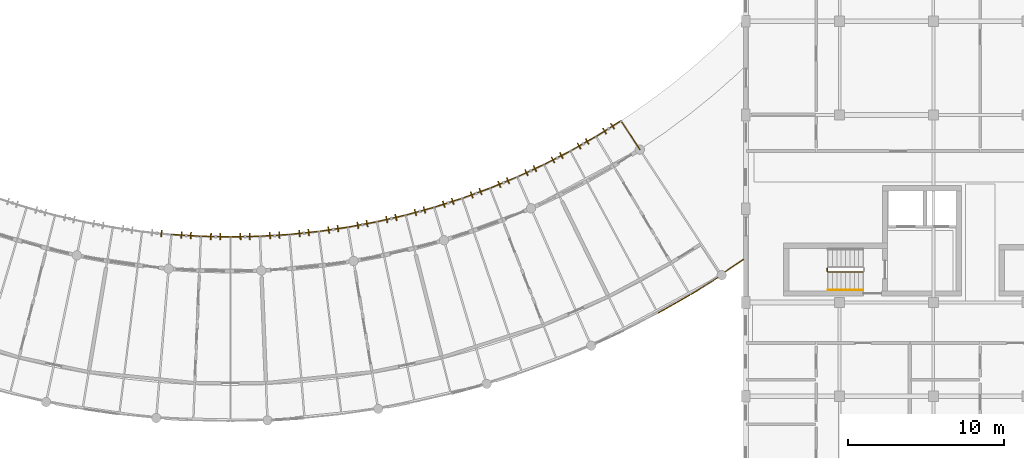
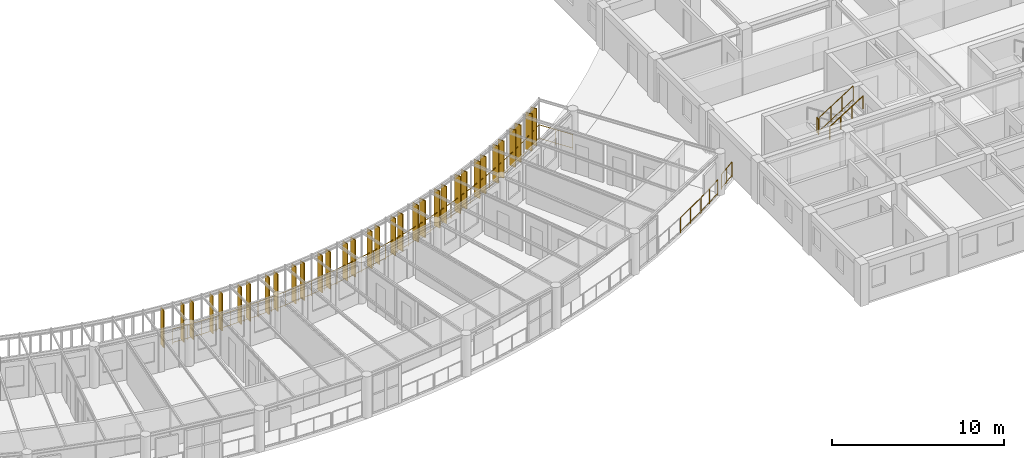
# One storey, part 92 of 100: 33 shading devices, 23 railings.
"""IFC4 building model written with IfcOpenShell, lengths in metres."""

from ifc_helpers import new_model, si_unit, direction, frame, origin, origin_2d, place, context, subcontext, project, spatial, rectangle, circle, extrude, material, layer, layer_set, type_object, element, save


model = new_model("IFC4")

# Units and contexts
model_context = context("Model", 3, precision=1e-05, world=origin(), true_north=direction((0.0, 1.0)))
body_context = subcontext(model_context, "Body", "Model", "MODEL_VIEW")
ifc_project = project(units=[si_unit("LENGTHUNIT", "METRE"), si_unit("AREAUNIT", "SQUARE_METRE"), si_unit("VOLUMEUNIT", "CUBIC_METRE"), si_unit("PLANEANGLEUNIT", "RADIAN"), si_unit("MASSUNIT", "GRAM", prefix="KILO"), si_unit("POWERUNIT", "WATT"), si_unit("THERMODYNAMICTEMPERATUREUNIT", "KELVIN")], contexts=[model_context])

# Site, building, storey
site_placement = place(None, origin())
site = spatial("IfcSite", under=ifc_project, at=site_placement, CompositionType="ELEMENT")
building_placement = place(site_placement, origin())
building = spatial("IfcBuilding", under=site, at=building_placement, Name="Ruvembo Vaulted Housing Court", CompositionType="ELEMENT")
storey_placement = place(building_placement, frame((0.0, 0.0, 14.10009765625)))
storey = spatial("IfcBuildingStorey", under=building, at=storey_placement, Name="L04", CompositionType="ELEMENT", Elevation=14.10009765625)

# Railings
ifc_material_1 = material(Name="Galvanised Painted Steel and Laminated Glass", Category="steel")
ifc_layer_1 = layer(ifc_material_1, 0.070068359375, Name="Galvanised Painted Steel and Laminated Glass")
ifc_layer_set_1 = layer_set([ifc_layer_1], Name="Galvanised Painted Steel and Laminated Glass")
railing_type_1 = type_object("IfcRailingType", Name="RL-BALUST-1120", PredefinedType="BALUSTRADE", material=ifc_layer_set_1)
railing_1_placement = place(storey_placement, frame((96.4072265625, 11.339599609375, 0.0)))
element("IfcRailing", 1, at=railing_1_placement, inside=storey, type_object=railing_type_1, Name="L04 Perimeter Guard RL-EXT-L04-0442", PredefinedType="BALUSTRADE", context=body_context, shape_type="SweptSolid", body=[
    extrude(circle(Radius=0.02392578125, at=origin_2d()), frame((0.0, 0.0, 1.09619140625), z_axis=(0.869960830337, 0.49312083071, 0.0), x_axis=(-0.49312083071, 0.869960830337, 0.0)), (0.0, 0.0, 1.0), 2.27587890625),
    extrude(circle(Radius=0.01806640625, at=origin_2d()), frame((0.0, 0.0, 0.1201171875), z_axis=(0.869960830337, 0.49312083071, 0.0), x_axis=(-0.49312083071, 0.869960830337, 0.0)), (0.0, 0.0, 1.0), 2.27587890625),
    extrude(circle(Radius=0.02099609375, at=origin_2d()), origin(), (0.0, 0.0, 1.0), 1.072021484375),
    extrude(circle(Radius=0.02099609375, at=origin_2d()), frame((0.989990234375, 0.56103515625, 0.0)), (0.0, 0.0, 1.0), 1.072021484375),
    extrude(circle(Radius=0.02099609375, at=origin_2d()), frame((1.97998046875, 1.122314453125, 0.0)), (0.0, 0.0, 1.0), 1.072021484375),
])
railing_2_placement = place(storey_placement, frame((98.47314453125, 12.512939453125, 0.0)))
element("IfcRailing", 2, at=railing_2_placement, inside=storey, type_object=railing_type_1, Name="L04 Perimeter Guard RL-EXT-L04-0443", PredefinedType="BALUSTRADE", context=body_context, shape_type="SweptSolid", body=[
    extrude(circle(Radius=0.02392578125, at=origin_2d()), frame((0.0, 0.0, 1.09619140625), z_axis=(0.848924451605, 0.528514215009, 0.0), x_axis=(-0.528514215009, 0.848924451605, 0.0)), (0.0, 0.0, 1.0), 2.026123046875),
    extrude(circle(Radius=0.01806640625, at=origin_2d()), frame((0.0, 0.0, 0.1201171875), z_axis=(0.848924451605, 0.528514215009, 0.0), x_axis=(-0.528514215009, 0.848924451605, 0.0)), (0.0, 0.0, 1.0), 2.026123046875),
    extrude(circle(Radius=0.02099609375, at=origin_2d()), origin(), (0.0, 0.0, 1.0), 1.072021484375),
    extrude(circle(Radius=0.02099609375, at=origin_2d()), frame((0.85986328125, 0.535400390625, 0.0)), (0.0, 0.0, 1.0), 1.072021484375),
    extrude(circle(Radius=0.02099609375, at=origin_2d()), frame((1.719970703125, 1.07080078125, 0.0)), (0.0, 0.0, 1.0), 1.072021484375),
])
ifc_material_2 = material(Name="Galvanised Painted Steel S275", Category="steel")
ifc_layer_2 = layer(ifc_material_2, 0.06005859375, Name="Galvanised Painted Steel S275")
ifc_layer_set_2 = layer_set([ifc_layer_2], Name="Galvanised Painted Steel S275")
railing_type_2 = type_object("IfcRailingType", Name="RL-GUARD-1100", PredefinedType="GUARDRAIL", material=ifc_layer_set_2)
railing_3_placement = place(storey_placement, frame((65.2255859375, 16.355712890625, 0.0)))
element("IfcRailing", 3, at=railing_3_placement, inside=storey, type_object=railing_type_2, Name="L04 Perimeter Guard RL-EXT-L04-0405", PredefinedType="GUARDRAIL", context=body_context, shape_type="SweptSolid", body=[
    extrude(circle(Radius=0.02392578125, at=origin_2d()), frame((0.0, 0.0, 1.076171875), z_axis=(0.998090110864, -0.061774837886, 0.0), x_axis=(0.061774837886, 0.998090110864, 0.0)), (0.0, 0.0, 1.0), 1.88916015625),
    extrude(circle(Radius=0.01806640625, at=origin_2d()), frame((0.0, 0.0, 0.1201171875), z_axis=(0.998090110864, -0.061774837886, 0.0), x_axis=(0.061774837886, 0.998090110864, 0.0)), (0.0, 0.0, 1.0), 1.88916015625),
    extrude(circle(Radius=0.02099609375, at=origin_2d()), origin(), (0.0, 0.0, 1.0), 1.052001953125),
    extrude(circle(Radius=0.02099609375, at=origin_2d()), frame((0.94287109375, -0.058349609375, 0.0)), (0.0, 0.0, 1.0), 1.052001953125),
    extrude(circle(Radius=0.02099609375, at=origin_2d()), frame((1.885498046875, -0.11669921875, 0.0)), (0.0, 0.0, 1.0), 1.052001953125),
])
railing_4_placement = place(storey_placement, frame((67.111083984375, 16.239013671875, 0.0)))
element("IfcRailing", 4, at=railing_4_placement, inside=storey, type_object=railing_type_2, Name="L04 Perimeter Guard RL-EXT-L04-0406", PredefinedType="GUARDRAIL", context=body_context, shape_type="SweptSolid", body=[
    extrude(circle(Radius=0.02392578125, at=origin_2d()), frame((0.0, 0.0, 1.076171875), z_axis=(0.99978624046, -0.020675429556, 0.0), x_axis=(0.020675429556, 0.99978624046, 0.0)), (0.0, 0.0, 1.0), 1.889404296875),
    extrude(circle(Radius=0.01806640625, at=origin_2d()), frame((0.0, 0.0, 0.1201171875), z_axis=(0.99978624046, -0.020675429556, 0.0), x_axis=(0.020675429556, 0.99978624046, 0.0)), (0.0, 0.0, 1.0), 1.889404296875),
    extrude(circle(Radius=0.02099609375, at=origin_2d()), origin(), (0.0, 0.0, 1.0), 1.052001953125),
    extrude(circle(Radius=0.02099609375, at=origin_2d()), frame((0.9443359375, -0.01953125, 0.0)), (0.0, 0.0, 1.0), 1.052001953125),
    extrude(circle(Radius=0.02099609375, at=origin_2d()), frame((1.888916015625, -0.0390625, 0.0)), (0.0, 0.0, 1.0), 1.052001953125),
])
railing_5_placement = place(storey_placement, frame((69.0, 16.199951171875, 0.0)))
element("IfcRailing", 5, at=railing_5_placement, inside=storey, type_object=railing_type_2, Name="L04 Perimeter Guard RL-EXT-L04-0407", PredefinedType="GUARDRAIL", context=body_context, shape_type="SweptSolid", body=[
    extrude(circle(Radius=0.02392578125, at=origin_2d()), frame((0.0, 0.0, 1.076171875), z_axis=(0.99978624046, 0.020675429556, 0.0), x_axis=(-0.020675429556, 0.99978624046, 0.0)), (0.0, 0.0, 1.0), 1.889404296875),
    extrude(circle(Radius=0.01806640625, at=origin_2d()), frame((0.0, 0.0, 0.1201171875), z_axis=(0.99978624046, 0.020675429556, 0.0), x_axis=(-0.020675429556, 0.99978624046, 0.0)), (0.0, 0.0, 1.0), 1.889404296875),
    extrude(circle(Radius=0.02099609375, at=origin_2d()), origin(), (0.0, 0.0, 1.0), 1.052001953125),
    extrude(circle(Radius=0.02099609375, at=origin_2d()), frame((0.9443359375, 0.01953125, 0.0)), (0.0, 0.0, 1.0), 1.052001953125),
    extrude(circle(Radius=0.02099609375, at=origin_2d()), frame((1.888916015625, 0.0390625, 0.0)), (0.0, 0.0, 1.0), 1.052001953125),
])
railing_6_placement = place(storey_placement, frame((70.888916015625, 16.239013671875, 0.0)))
element("IfcRailing", 6, at=railing_6_placement, inside=storey, type_object=railing_type_2, Name="L04 Perimeter Guard RL-EXT-L04-0408", PredefinedType="GUARDRAIL", context=body_context, shape_type="SweptSolid", body=[
    extrude(circle(Radius=0.02392578125, at=origin_2d()), frame((0.0, 0.0, 1.076171875), z_axis=(0.998090110864, 0.061774837886, 0.0), x_axis=(-0.061774837886, 0.998090110864, 0.0)), (0.0, 0.0, 1.0), 1.88916015625),
    extrude(circle(Radius=0.01806640625, at=origin_2d()), frame((0.0, 0.0, 0.1201171875), z_axis=(0.998090110864, 0.061774837886, 0.0), x_axis=(-0.061774837886, 0.998090110864, 0.0)), (0.0, 0.0, 1.0), 1.88916015625),
    extrude(circle(Radius=0.02099609375, at=origin_2d()), origin(), (0.0, 0.0, 1.0), 1.052001953125),
    extrude(circle(Radius=0.02099609375, at=origin_2d()), frame((0.94287109375, 0.058349609375, 0.0)), (0.0, 0.0, 1.0), 1.052001953125),
    extrude(circle(Radius=0.02099609375, at=origin_2d()), frame((1.885498046875, 0.11669921875, 0.0)), (0.0, 0.0, 1.0), 1.052001953125),
])
railing_7_placement = place(storey_placement, frame((72.7744140625, 16.355712890625, 0.0)))
element("IfcRailing", 7, at=railing_7_placement, inside=storey, type_object=railing_type_2, Name="L04 Perimeter Guard RL-EXT-L04-0409", PredefinedType="GUARDRAIL", context=body_context, shape_type="SweptSolid", body=[
    extrude(circle(Radius=0.02392578125, at=origin_2d()), frame((0.0, 0.0, 1.076171875), z_axis=(0.994683125416, 0.10298291127, 0.0), x_axis=(-0.10298291127, 0.994683125416, 0.0)), (0.0, 0.0, 1.0), 1.889404296875),
    extrude(circle(Radius=0.01806640625, at=origin_2d()), frame((0.0, 0.0, 0.1201171875), z_axis=(0.994683125416, 0.10298291127, 0.0), x_axis=(-0.10298291127, 0.994683125416, 0.0)), (0.0, 0.0, 1.0), 1.889404296875),
    extrude(circle(Radius=0.02099609375, at=origin_2d()), origin(), (0.0, 0.0, 1.0), 1.052001953125),
    extrude(circle(Radius=0.02099609375, at=origin_2d()), frame((0.939697265625, 0.09716796875, 0.0)), (0.0, 0.0, 1.0), 1.052001953125),
    extrude(circle(Radius=0.02099609375, at=origin_2d()), frame((1.87939453125, 0.194580078125, 0.0)), (0.0, 0.0, 1.0), 1.052001953125),
])
railing_8_placement = place(storey_placement, frame((74.65380859375, 16.55029296875, 0.0)))
element("IfcRailing", 8, at=railing_8_placement, inside=storey, type_object=railing_type_2, Name="L04 Perimeter Guard RL-EXT-L04-0410", PredefinedType="GUARDRAIL", context=body_context, shape_type="SweptSolid", body=[
    extrude(circle(Radius=0.02392578125, at=origin_2d()), frame((0.0, 0.0, 1.076171875), z_axis=(0.989600158039, 0.143845497701, 0.0), x_axis=(-0.143845497701, 0.989600158039, 0.0)), (0.0, 0.0, 1.0), 1.888916015625),
    extrude(circle(Radius=0.01806640625, at=origin_2d()), frame((0.0, 0.0, 0.1201171875), z_axis=(0.989600158039, 0.143845497701, 0.0), x_axis=(-0.143845497701, 0.989600158039, 0.0)), (0.0, 0.0, 1.0), 1.888916015625),
    extrude(circle(Radius=0.02099609375, at=origin_2d()), origin(), (0.0, 0.0, 1.0), 1.052001953125),
    extrude(circle(Radius=0.02099609375, at=origin_2d()), frame((0.9345703125, 0.1357421875, 0.0)), (0.0, 0.0, 1.0), 1.052001953125),
    extrude(circle(Radius=0.02099609375, at=origin_2d()), frame((1.869384765625, 0.271728515625, 0.0)), (0.0, 0.0, 1.0), 1.052001953125),
])
railing_9_placement = place(storey_placement, frame((76.523193359375, 16.822021484375, 0.0)))
element("IfcRailing", 9, at=railing_9_placement, inside=storey, type_object=railing_type_2, Name="L04 Perimeter Guard RL-EXT-L04-0411", PredefinedType="GUARDRAIL", context=body_context, shape_type="SweptSolid", body=[
    extrude(circle(Radius=0.02392578125, at=origin_2d()), frame((0.0, 0.0, 1.076171875), z_axis=(0.982804832401, 0.184647397515, 0.0), x_axis=(-0.184647397515, 0.982804832401, 0.0)), (0.0, 0.0, 1.0), 1.889404296875),
    extrude(circle(Radius=0.01806640625, at=origin_2d()), frame((0.0, 0.0, 0.1201171875), z_axis=(0.982804832401, 0.184647397515, 0.0), x_axis=(-0.184647397515, 0.982804832401, 0.0)), (0.0, 0.0, 1.0), 1.889404296875),
    extrude(circle(Radius=0.02099609375, at=origin_2d()), origin(), (0.0, 0.0, 1.0), 1.052001953125),
    extrude(circle(Radius=0.02099609375, at=origin_2d()), frame((0.928466796875, 0.17431640625, 0.0)), (0.0, 0.0, 1.0), 1.052001953125),
    extrude(circle(Radius=0.02099609375, at=origin_2d()), frame((1.85693359375, 0.348876953125, 0.0)), (0.0, 0.0, 1.0), 1.052001953125),
])
railing_10_placement = place(storey_placement, frame((78.380126953125, 17.1708984375, 0.0)))
element("IfcRailing", 10, at=railing_10_placement, inside=storey, type_object=railing_type_2, Name="L04 Perimeter Guard RL-EXT-L04-0412", PredefinedType="GUARDRAIL", context=body_context, shape_type="SweptSolid", body=[
    extrude(circle(Radius=0.02392578125, at=origin_2d()), frame((0.0, 0.0, 1.076171875), z_axis=(0.974391195695, 0.224859506699, 0.0), x_axis=(-0.224859506699, 0.974391195695, 0.0)), (0.0, 0.0, 1.0), 1.88916015625),
    extrude(circle(Radius=0.01806640625, at=origin_2d()), frame((0.0, 0.0, 0.1201171875), z_axis=(0.974391195695, 0.224859506699, 0.0), x_axis=(-0.224859506699, 0.974391195695, 0.0)), (0.0, 0.0, 1.0), 1.88916015625),
    extrude(circle(Radius=0.02099609375, at=origin_2d()), origin(), (0.0, 0.0, 1.0), 1.052001953125),
    extrude(circle(Radius=0.02099609375, at=origin_2d()), frame((0.92041015625, 0.21240234375, 0.0)), (0.0, 0.0, 1.0), 1.052001953125),
    extrude(circle(Radius=0.02099609375, at=origin_2d()), frame((1.8408203125, 0.4248046875, 0.0)), (0.0, 0.0, 1.0), 1.052001953125),
])
railing_11_placement = place(storey_placement, frame((80.220947265625, 17.595703125, 0.0)))
element("IfcRailing", 11, at=railing_11_placement, inside=storey, type_object=railing_type_2, Name="L04 Perimeter Guard RL-EXT-L04-0413", PredefinedType="GUARDRAIL", context=body_context, shape_type="SweptSolid", body=[
    extrude(circle(Radius=0.02392578125, at=origin_2d()), frame((0.0, 0.0, 1.076171875), z_axis=(0.964240073493, 0.26503033915, 0.0), x_axis=(-0.26503033915, 0.964240073493, 0.0)), (0.0, 0.0, 1.0), 1.889404296875),
    extrude(circle(Radius=0.01806640625, at=origin_2d()), frame((0.0, 0.0, 0.1201171875), z_axis=(0.964240073493, 0.26503033915, 0.0), x_axis=(-0.26503033915, 0.964240073493, 0.0)), (0.0, 0.0, 1.0), 1.889404296875),
    extrude(circle(Radius=0.02099609375, at=origin_2d()), origin(), (0.0, 0.0, 1.0), 1.052001953125),
    extrude(circle(Radius=0.02099609375, at=origin_2d()), frame((0.910888671875, 0.25048828125, 0.0)), (0.0, 0.0, 1.0), 1.052001953125),
    extrude(circle(Radius=0.02099609375, at=origin_2d()), frame((1.82177734375, 0.500732421875, 0.0)), (0.0, 0.0, 1.0), 1.052001953125),
])
railing_12_placement = place(storey_placement, frame((82.042724609375, 18.096435546875, 0.0)))
element("IfcRailing", 12, at=railing_12_placement, inside=storey, type_object=railing_type_2, Name="L04 Perimeter Guard RL-EXT-L04-0414", PredefinedType="GUARDRAIL", context=body_context, shape_type="SweptSolid", body=[
    extrude(circle(Radius=0.02392578125, at=origin_2d()), frame((0.0, 0.0, 1.076171875), z_axis=(0.952526124364, 0.304456864605, 0.0), x_axis=(-0.304456864605, 0.952526124364, 0.0)), (0.0, 0.0, 1.0), 1.88916015625),
    extrude(circle(Radius=0.01806640625, at=origin_2d()), frame((0.0, 0.0, 0.1201171875), z_axis=(0.952526124364, 0.304456864605, 0.0), x_axis=(-0.304456864605, 0.952526124364, 0.0)), (0.0, 0.0, 1.0), 1.88916015625),
    extrude(circle(Radius=0.02099609375, at=origin_2d()), origin(), (0.0, 0.0, 1.0), 1.052001953125),
    extrude(circle(Radius=0.02099609375, at=origin_2d()), frame((0.89990234375, 0.28759765625, 0.0)), (0.0, 0.0, 1.0), 1.052001953125),
    extrude(circle(Radius=0.02099609375, at=origin_2d()), frame((1.799560546875, 0.5751953125, 0.0)), (0.0, 0.0, 1.0), 1.052001953125),
])
railing_13_placement = place(storey_placement, frame((83.84228515625, 18.671630859375, 0.0)))
element("IfcRailing", 13, at=railing_13_placement, inside=storey, type_object=railing_type_2, Name="L04 Perimeter Guard RL-EXT-L04-0415", PredefinedType="GUARDRAIL", context=body_context, shape_type="SweptSolid", body=[
    extrude(circle(Radius=0.02392578125, at=origin_2d()), frame((0.0, 0.0, 1.076171875), z_axis=(0.939165556371, 0.343464783824, 0.0), x_axis=(-0.343464783824, 0.939165556371, 0.0)), (0.0, 0.0, 1.0), 1.889404296875),
    extrude(circle(Radius=0.01806640625, at=origin_2d()), frame((0.0, 0.0, 0.1201171875), z_axis=(0.939165556371, 0.343464783824, 0.0), x_axis=(-0.343464783824, 0.939165556371, 0.0)), (0.0, 0.0, 1.0), 1.889404296875),
    extrude(circle(Radius=0.02099609375, at=origin_2d()), origin(), (0.0, 0.0, 1.0), 1.052001953125),
    extrude(circle(Radius=0.02099609375, at=origin_2d()), frame((0.88720703125, 0.324462890625, 0.0)), (0.0, 0.0, 1.0), 1.052001953125),
    extrude(circle(Radius=0.02099609375, at=origin_2d()), frame((1.7744140625, 0.64892578125, 0.0)), (0.0, 0.0, 1.0), 1.052001953125),
])
railing_14_placement = place(storey_placement, frame((85.61669921875, 19.320556640625, 0.0)))
element("IfcRailing", 14, at=railing_14_placement, inside=storey, type_object=railing_type_2, Name="L04 Perimeter Guard RL-EXT-L04-0416", PredefinedType="GUARDRAIL", context=body_context, shape_type="SweptSolid", body=[
    extrude(circle(Radius=0.02392578125, at=origin_2d()), frame((0.0, 0.0, 1.076171875), z_axis=(0.924155321549, 0.38201693896, 0.0), x_axis=(-0.38201693896, 0.924155321549, 0.0)), (0.0, 0.0, 1.0), 1.88916015625),
    extrude(circle(Radius=0.01806640625, at=origin_2d()), frame((0.0, 0.0, 0.1201171875), z_axis=(0.924155321549, 0.38201693896, 0.0), x_axis=(-0.38201693896, 0.924155321549, 0.0)), (0.0, 0.0, 1.0), 1.88916015625),
    extrude(circle(Radius=0.02099609375, at=origin_2d()), origin(), (0.0, 0.0, 1.0), 1.052001953125),
    extrude(circle(Radius=0.02099609375, at=origin_2d()), frame((0.873046875, 0.36083984375, 0.0)), (0.0, 0.0, 1.0), 1.052001953125),
    extrude(circle(Radius=0.02099609375, at=origin_2d()), frame((1.745849609375, 0.7216796875, 0.0)), (0.0, 0.0, 1.0), 1.052001953125),
])
railing_15_placement = place(storey_placement, frame((87.362548828125, 20.042236328125, 0.0)))
element("IfcRailing", 15, at=railing_15_placement, inside=storey, type_object=railing_type_2, Name="L04 Perimeter Guard RL-EXT-L04-0417", PredefinedType="GUARDRAIL", context=body_context, shape_type="SweptSolid", body=[
    extrude(circle(Radius=0.02392578125, at=origin_2d()), frame((0.0, 0.0, 1.076171875), z_axis=(0.907656578832, 0.419713634403, 0.0), x_axis=(-0.419713634403, 0.907656578832, 0.0)), (0.0, 0.0, 1.0), 1.889404296875),
    extrude(circle(Radius=0.01806640625, at=origin_2d()), frame((0.0, 0.0, 0.1201171875), z_axis=(0.907656578832, 0.419713634403, 0.0), x_axis=(-0.419713634403, 0.907656578832, 0.0)), (0.0, 0.0, 1.0), 1.889404296875),
    extrude(circle(Radius=0.02099609375, at=origin_2d()), origin(), (0.0, 0.0, 1.0), 1.052001953125),
    extrude(circle(Radius=0.02099609375, at=origin_2d()), frame((0.857421875, 0.396484375, 0.0)), (0.0, 0.0, 1.0), 1.052001953125),
    extrude(circle(Radius=0.02099609375, at=origin_2d()), frame((1.71484375, 0.79296875, 0.0)), (0.0, 0.0, 1.0), 1.052001953125),
])
railing_16_placement = place(storey_placement, frame((89.077392578125, 20.835205078125, 0.0)))
element("IfcRailing", 16, at=railing_16_placement, inside=storey, type_object=railing_type_2, Name="L04 Perimeter Guard RL-EXT-L04-0418", PredefinedType="GUARDRAIL", context=body_context, shape_type="SweptSolid", body=[
    extrude(circle(Radius=0.02392578125, at=origin_2d()), frame((0.0, 0.0, 1.076171875), z_axis=(0.889568437347, 0.45680192127, 0.0), x_axis=(-0.45680192127, 0.889568437347, 0.0)), (0.0, 0.0, 1.0), 1.889404296875),
    extrude(circle(Radius=0.01806640625, at=origin_2d()), frame((0.0, 0.0, 0.1201171875), z_axis=(0.889568437347, 0.45680192127, 0.0), x_axis=(-0.45680192127, 0.889568437347, 0.0)), (0.0, 0.0, 1.0), 1.889404296875),
    extrude(circle(Radius=0.02099609375, at=origin_2d()), origin(), (0.0, 0.0, 1.0), 1.052001953125),
    extrude(circle(Radius=0.02099609375, at=origin_2d()), frame((0.84033203125, 0.431640625, 0.0)), (0.0, 0.0, 1.0), 1.052001953125),
    extrude(circle(Radius=0.02099609375, at=origin_2d()), frame((1.6806640625, 0.863037109375, 0.0)), (0.0, 0.0, 1.0), 1.052001953125),
])
railing_17_placement = place(storey_placement, frame((90.758056640625, 21.6982421875, 0.0)))
element("IfcRailing", 17, at=railing_17_placement, inside=storey, type_object=railing_type_2, Name="L04 Perimeter Guard RL-EXT-L04-0419", PredefinedType="GUARDRAIL", context=body_context, shape_type="SweptSolid", body=[
    extrude(circle(Radius=0.02392578125, at=origin_2d()), frame((0.0, 0.0, 1.076171875), z_axis=(0.869955662473, 0.493129947712, 0.0), x_axis=(-0.493129947712, 0.869955662473, 0.0)), (0.0, 0.0, 1.0), 1.88916015625),
    extrude(circle(Radius=0.01806640625, at=origin_2d()), frame((0.0, 0.0, 0.1201171875), z_axis=(0.869955662473, 0.493129947712, 0.0), x_axis=(-0.493129947712, 0.869955662473, 0.0)), (0.0, 0.0, 1.0), 1.88916015625),
    extrude(circle(Radius=0.02099609375, at=origin_2d()), origin(), (0.0, 0.0, 1.0), 1.052001953125),
    extrude(circle(Radius=0.02099609375, at=origin_2d()), frame((0.82177734375, 0.4658203125, 0.0)), (0.0, 0.0, 1.0), 1.052001953125),
    extrude(circle(Radius=0.02099609375, at=origin_2d()), frame((1.6435546875, 0.931640625, 0.0)), (0.0, 0.0, 1.0), 1.052001953125),
])
railing_18_placement = place(storey_placement, frame((92.401611328125, 22.6298828125, 0.0)))
element("IfcRailing", 18, at=railing_18_placement, inside=storey, type_object=railing_type_2, Name="L04 Perimeter Guard RL-EXT-L04-0420", PredefinedType="GUARDRAIL", context=body_context, shape_type="SweptSolid", body=[
    extrude(circle(Radius=0.02392578125, at=origin_2d()), frame((0.0, 0.0, 1.076171875), z_axis=(0.848904567119, 0.52854615307, 0.0), x_axis=(-0.52854615307, 0.848904567119, 0.0)), (0.0, 0.0, 1.0), 1.88916015625),
    extrude(circle(Radius=0.01806640625, at=origin_2d()), frame((0.0, 0.0, 0.1201171875), z_axis=(0.848904567119, 0.52854615307, 0.0), x_axis=(-0.52854615307, 0.848904567119, 0.0)), (0.0, 0.0, 1.0), 1.88916015625),
    extrude(circle(Radius=0.02099609375, at=origin_2d()), origin(), (0.0, 0.0, 1.0), 1.052001953125),
    extrude(circle(Radius=0.02099609375, at=origin_2d()), frame((0.8017578125, 0.499267578125, 0.0)), (0.0, 0.0, 1.0), 1.052001953125),
    extrude(circle(Radius=0.02099609375, at=origin_2d()), frame((1.603759765625, 0.99853515625, 0.0)), (0.0, 0.0, 1.0), 1.052001953125),
])
railing_19_placement = place(storey_placement, frame((94.00537109375, 23.62841796875, 0.0)))
element("IfcRailing", 19, at=railing_19_placement, inside=storey, type_object=railing_type_2, Name="L04 Perimeter Guard RL-EXT-L04-0421", PredefinedType="GUARDRAIL", context=body_context, shape_type="SweptSolid", body=[
    extrude(circle(Radius=0.02392578125, at=origin_2d()), frame((0.0, 0.0, 1.076171875), z_axis=(0.546013859183, -0.837776142881, 0.0), x_axis=(0.837776142881, 0.546013859183, 0.0)), (0.0, 0.0, 1.0), 2.199951171875),
    extrude(circle(Radius=0.01806640625, at=origin_2d()), frame((0.0, 0.0, 0.1201171875), z_axis=(0.546013859183, -0.837776142881, 0.0), x_axis=(0.837776142881, 0.546013859183, 0.0)), (0.0, 0.0, 1.0), 2.199951171875),
    extrude(circle(Radius=0.02099609375, at=origin_2d()), origin(), (0.0, 0.0, 1.0), 1.052001953125),
    extrude(circle(Radius=0.02099609375, at=origin_2d()), frame((0.6005859375, -0.92138671875, 0.0)), (0.0, 0.0, 1.0), 1.052001953125),
    extrude(circle(Radius=0.02099609375, at=origin_2d()), frame((1.201171875, -1.843017578125, 0.0)), (0.0, 0.0, 1.0), 1.052001953125),
])
railing_20_placement = place(storey_placement, frame((101.83251953125, 14.7587890625, 0.0)))
element("IfcRailing", 20, at=railing_20_placement, inside=storey, type_object=railing_type_2, Name="L04 Perimeter Guard RL-EXT-L04-0913", PredefinedType="GUARDRAIL", context=body_context, shape_type="SweptSolid", body=[
    extrude(circle(Radius=0.02392578125, at=origin_2d()), frame((0.0, 0.0, 1.076171875), z_axis=(-0.826253217327, -0.563298873474, 0.0), x_axis=(0.563298873474, -0.826253217327, 0.0)), (0.0, 0.0, 1.0), 1.397216796875),
    extrude(circle(Radius=0.01806640625, at=origin_2d()), frame((0.0, 0.0, 0.1201171875), z_axis=(-0.826253217327, -0.563298873474, 0.0), x_axis=(0.563298873474, -0.826253217327, 0.0)), (0.0, 0.0, 1.0), 1.397216796875),
    extrude(circle(Radius=0.02099609375, at=origin_2d()), origin(), (0.0, 0.0, 1.0), 1.052001953125),
    extrude(circle(Radius=0.02099609375, at=origin_2d()), frame((-0.5771484375, -0.3935546875, 0.0)), (0.0, 0.0, 1.0), 1.052001953125),
    extrude(circle(Radius=0.02099609375, at=origin_2d()), frame((-1.154541015625, -0.787109375, 0.0)), (0.0, 0.0, 1.0), 1.052001953125),
])
ifc_material_3 = material(Name="Painted Galvanised Steel S275", Category="steel")
ifc_layer_3 = layer(ifc_material_3, 0.06005859375, Name="Painted Galvanised Steel S275")
ifc_layer_set_3 = layer_set([ifc_layer_3], Name="Painted Galvanised Steel S275")
railing_type_3 = type_object("IfcRailingType", Name="RL-STAIR-GR1100", PredefinedType="GUARDRAIL", material=ifc_layer_set_3)
railing_21_placement = place(storey_placement, frame((107.2099609375, 14.199951171875, 1.599853515625)))
element("IfcRailing", 21, at=railing_21_placement, inside=storey, type_object=railing_type_3, Name="L04 ST-C1 stair guard 2", PredefinedType="GUARDRAIL", context=body_context, shape_type="SweptSolid", body=[
    extrude(circle(Radius=0.02392578125, at=origin_2d()), frame((0.0, 0.0, 1.076171875), z_axis=(0.0, -1.0, 0.0), x_axis=(1.0, 0.0, 0.0)), (0.0, 0.0, 1.0), 0.199951171875),
    extrude(circle(Radius=0.01806640625, at=origin_2d()), frame((0.0, 0.0, 0.1201171875), z_axis=(0.0, -1.0, 0.0), x_axis=(1.0, 0.0, 0.0)), (0.0, 0.0, 1.0), 0.199951171875),
    extrude(circle(Radius=0.02099609375, at=origin_2d()), origin(), (0.0, 0.0, 1.0), 1.052001953125),
    extrude(circle(Radius=0.02099609375, at=origin_2d()), frame((0.0, -0.199951171875, 0.0)), (0.0, 0.0, 1.0), 1.052001953125),
])
railing_22_placement = place(storey_placement, frame((107.260009765625, 13.949951171875, 1.777587890625)))
element("IfcRailing", 22, at=railing_22_placement, inside=storey, type_object=railing_type_3, Name="L04 ST-C1 stair guard 3", PredefinedType="GUARDRAIL", context=body_context, shape_type="SweptSolid", body=[
    extrude(circle(Radius=0.02392578125, at=origin_2d()), frame((0.0, 0.0, 1.076171875), z_axis=(0.84418770128, 0.0, 0.536047689118), x_axis=(0.0, 1.0, 0.0)), (0.0, 0.0, 1.0), 2.6533203125),
    extrude(circle(Radius=0.01806640625, at=origin_2d()), frame((0.0, 0.0, 0.1201171875), z_axis=(0.84418770128, 0.0, 0.536047689118), x_axis=(0.0, 1.0, 0.0)), (0.0, 0.0, 1.0), 2.6533203125),
    extrude(circle(Radius=0.02099609375, at=origin_2d()), origin(), (0.0, 0.0, 1.0), 1.052001953125),
    extrude(circle(Radius=0.02099609375, at=origin_2d()), frame((0.74658203125, 0.0, 0.47412109375)), (0.0, 0.0, 1.0), 1.052001953125),
    extrude(circle(Radius=0.02099609375, at=origin_2d()), frame((1.493408203125, 0.0, 0.9482421875)), (0.0, 0.0, 1.0), 1.052001953125),
    extrude(circle(Radius=0.02099609375, at=origin_2d()), frame((2.239990234375, 0.0, 1.42236328125)), (0.0, 0.0, 1.0), 1.052001953125),
])
ifc_material_4 = material(Name="Brushed Stainless Steel 304", Category="steel")
ifc_layer_4 = layer(ifc_material_4, 0.050048828125, Name="Brushed Stainless Steel 304")
ifc_layer_set_4 = layer_set([ifc_layer_4], Name="Brushed Stainless Steel 304")
railing_type_4 = type_object("IfcRailingType", Name="RL-STAIR-HR920", PredefinedType="HANDRAIL", material=ifc_layer_set_4)
railing_23_placement = place(storey_placement, frame((107.260009765625, 12.800048828125, 1.959228515625)))
element("IfcRailing", 23, at=railing_23_placement, inside=storey, type_object=railing_type_4, Name="L04 ST-C1 stair handrail 2", PredefinedType="HANDRAIL", context=body_context, shape_type="SweptSolid", body=[
    extrude(circle(Radius=0.02392578125, at=origin_2d()), frame((0.0, 0.0, 0.8759765625), z_axis=(0.8442293374, 0.0, 0.53598211339), x_axis=(0.0, 1.0, 0.0)), (0.0, 0.0, 1.0), 2.6533203125),
    extrude(circle(Radius=0.02099609375, at=origin_2d()), origin(), (0.0, 0.0, 1.0), 0.851806640625),
    extrude(circle(Radius=0.02099609375, at=origin_2d()), frame((0.74658203125, 0.0, 0.47412109375)), (0.0, 0.0, 1.0), 0.851806640625),
    extrude(circle(Radius=0.02099609375, at=origin_2d()), frame((1.493408203125, 0.0, 0.947998046875)), (0.0, 0.0, 1.0), 0.851806640625),
    extrude(circle(Radius=0.02099609375, at=origin_2d()), frame((2.239990234375, 0.0, 1.422119140625)), (0.0, 0.0, 1.0), 0.851806640625),
])

# Shading devices
ifc_material_5 = material(Name="Kiln-Fired Terracotta Extrusion", Category="masonry")
shading_device_type = type_object("IfcShadingDeviceType", Name="SHD-FIN-420", PredefinedType="USERDEFINED", material=ifc_material_5)
for number, where, z_axis, x_axis, name in (
    (24, (64.584228515625, 16.422119140625, 0.0498046875), (0.0, 0.0, 1.0), (-0.102948783072, -0.994686658232, 0.0), "Terracotta Brise-Soleil Fin #382"),
    (25, (65.868896484375, 16.31591796875, 0.0498046875), (0.0, 0.0, 1.0), (-0.061832453863, -0.998086543166, 0.0), "Terracotta Brise-Soleil Fin #383"),
    (26, (66.4677734375, 16.27880859375, 0.0498046875), (0.0, 0.0, 1.0), (-0.061832453863, -0.998086543166, 0.0), "Terracotta Brise-Soleil Fin #384"),
    (27, (67.755615234375, 16.2255859375, 0.0498046875), (0.0, 0.0, 1.0), (-0.020645778066, -0.999786853208, 0.0), "Terracotta Brise-Soleil Fin #385"),
    (28, (68.35546875, 16.21337890625, 0.0498046875), (0.0, 0.0, 1.0), (-0.020645778066, -0.999786853208, 0.0), "Terracotta Brise-Soleil Fin #386"),
    (29, (69.64453125, 16.21337890625, 0.0498046875), (0.0, 0.0, 1.0), (0.020645778066, -0.999786853208, 0.0), "Terracotta Brise-Soleil Fin #387"),
    (30, (70.244384765625, 16.2255859375, 0.0498046875), (0.0, 0.0, 1.0), (0.020645778066, -0.999786853208, 0.0), "Terracotta Brise-Soleil Fin #388"),
    (31, (71.5322265625, 16.27880859375, 0.0498046875), (0.0, 0.0, 1.0), (0.061832453863, -0.998086543166, 0.0), "Terracotta Brise-Soleil Fin #389"),
    (32, (72.131103515625, 16.31591796875, 0.0498046875), (0.0, 0.0, 1.0), (0.061832453863, -0.998086543166, 0.0), "Terracotta Brise-Soleil Fin #390"),
    (33, (73.415771484375, 16.422119140625, 0.0498046875), (0.0, 0.0, 1.0), (0.102948783072, -0.994686658232, 0.0), "Terracotta Brise-Soleil Fin #391"),
    (34, (74.012451171875, 16.48388671875, 0.0498046875), (0.0, 0.0, 1.0), (0.102948783072, -0.994686658232, 0.0), "Terracotta Brise-Soleil Fin #392"),
    (35, (75.29150390625, 16.64306640625, 0.0498046875), (0.0, 0.0, 1.0), (0.143872610257, -0.989596216655, 0.0), "Terracotta Brise-Soleil Fin #393"),
    (36, (75.885498046875, 16.7294921875, 0.0498046875), (0.0, 0.0, 1.0), (0.143872610257, -0.989596216655, 0.0), "Terracotta Brise-Soleil Fin #394"),
    (37, (77.156982421875, 16.941162109375, 0.0498046875), (0.0, 0.0, 1.0), (0.184568910756, -0.982819575091, 0.0), "Terracotta Brise-Soleil Fin #395"),
    (38, (77.74658203125, 17.0517578125, 0.0498046875), (0.0, 0.0, 1.0), (0.184568910756, -0.982819575091, 0.0), "Terracotta Brise-Soleil Fin #396"),
    (39, (79.00830078125, 17.31591796875, 0.0498046875), (0.0, 0.0, 1.0), (0.224951054344, -0.974370064785, 0.0), "Terracotta Brise-Soleil Fin #397"),
    (40, (79.593017578125, 17.45068359375, 0.0498046875), (0.0, 0.0, 1.0), (0.224951054344, -0.974370064785, 0.0), "Terracotta Brise-Soleil Fin #398"),
    (41, (80.842529296875, 17.7666015625, 0.0498046875), (0.0, 0.0, 1.0), (0.264983965035, -0.96425281865, 0.0), "Terracotta Brise-Soleil Fin #399"),
    (42, (81.421142578125, 17.925537109375, 0.0498046875), (0.0, 0.0, 1.0), (0.264983965035, -0.96425281865, 0.0), "Terracotta Brise-Soleil Fin #400"),
    (43, (82.65673828125, 18.292724609375, 0.0498046875), (0.0, 0.0, 1.0), (0.304448708958, -0.952528731122, 0.0), "Terracotta Brise-Soleil Fin #401"),
    (44, (83.228271484375, 18.475341796875, 0.0498046875), (0.0, 0.0, 1.0), (0.304448708958, -0.952528731122, 0.0), "Terracotta Brise-Soleil Fin #402"),
    (45, (84.44775390625, 18.89306640625, 0.0498046875), (0.0, 0.0, 1.0), (0.343512177766, -0.939148222447, 0.0), "Terracotta Brise-Soleil Fin #403"),
    (46, (85.01123046875, 19.09912109375, 0.0498046875), (0.0, 0.0, 1.0), (0.343512177766, -0.939148222447, 0.0), "Terracotta Brise-Soleil Fin #404"),
    (47, (86.21240234375, 19.56689453125, 0.0498046875), (0.0, 0.0, 1.0), (0.381957701122, -0.924179806398, 0.0), "Terracotta Brise-Soleil Fin #405"),
    (48, (86.766845703125, 19.7958984375, 0.0498046875), (0.0, 0.0, 1.0), (0.381957701122, -0.924179806398, 0.0), "Terracotta Brise-Soleil Fin #406"),
    (49, (87.94775390625, 20.312744140625, 0.0498046875), (0.0, 0.0, 1.0), (0.419737248448, -0.90764565898, 0.0), "Terracotta Brise-Soleil Fin #407"),
    (50, (88.4921875, 20.564697265625, 0.0498046875), (0.0, 0.0, 1.0), (0.419737248448, -0.90764565898, 0.0), "Terracotta Brise-Soleil Fin #408"),
    (51, (89.65087890625, 21.129638671875, 0.0498046875), (0.0, 0.0, 1.0), (0.456849537333, -0.889543984432, 0.0), "Terracotta Brise-Soleil Fin #409"),
    (52, (90.1845703125, 21.40380859375, 0.0498046875), (0.0, 0.0, 1.0), (0.456849537333, -0.889543984432, 0.0), "Terracotta Brise-Soleil Fin #410"),
    (53, (91.31884765625, 22.01611328125, 0.0498046875), (0.0, 0.0, 1.0), (0.493106983922, -0.86996867898, 0.0), "Terracotta Brise-Soleil Fin #411"),
    (54, (91.8408203125, 22.31201171875, 0.0498046875), (0.0, 0.0, 1.0), (0.493106983922, -0.86996867898, 0.0), "Terracotta Brise-Soleil Fin #412"),
    (55, (92.94873046875, 22.970703125, 0.0498046875), (0.0, 0.0, 1.0), (0.528556868381, -0.848897895443, 0.0), "Terracotta Brise-Soleil Fin #413"),
    (56, (93.458251953125, 23.287841796875, 0.0498046875), (0.0, 0.0, 1.0), (0.528556868381, -0.848897895443, 0.0), "Terracotta Brise-Soleil Fin #414"),
):
    element("IfcShadingDevice", number, at=place(storey_placement, frame(where, z_axis=z_axis, x_axis=x_axis)), inside=storey, type_object=shading_device_type, Name=name, ObjectType="FIN", PredefinedType="USERDEFINED", context=body_context, shape_type="SweptSolid", body=[
        extrude(rectangle(XDim=0.419921875, YDim=0.06494140625, at=origin_2d()), origin(), (0.0, 0.0, 1.0), 2.633056640625),
    ])

save(model, "model.ifc")
